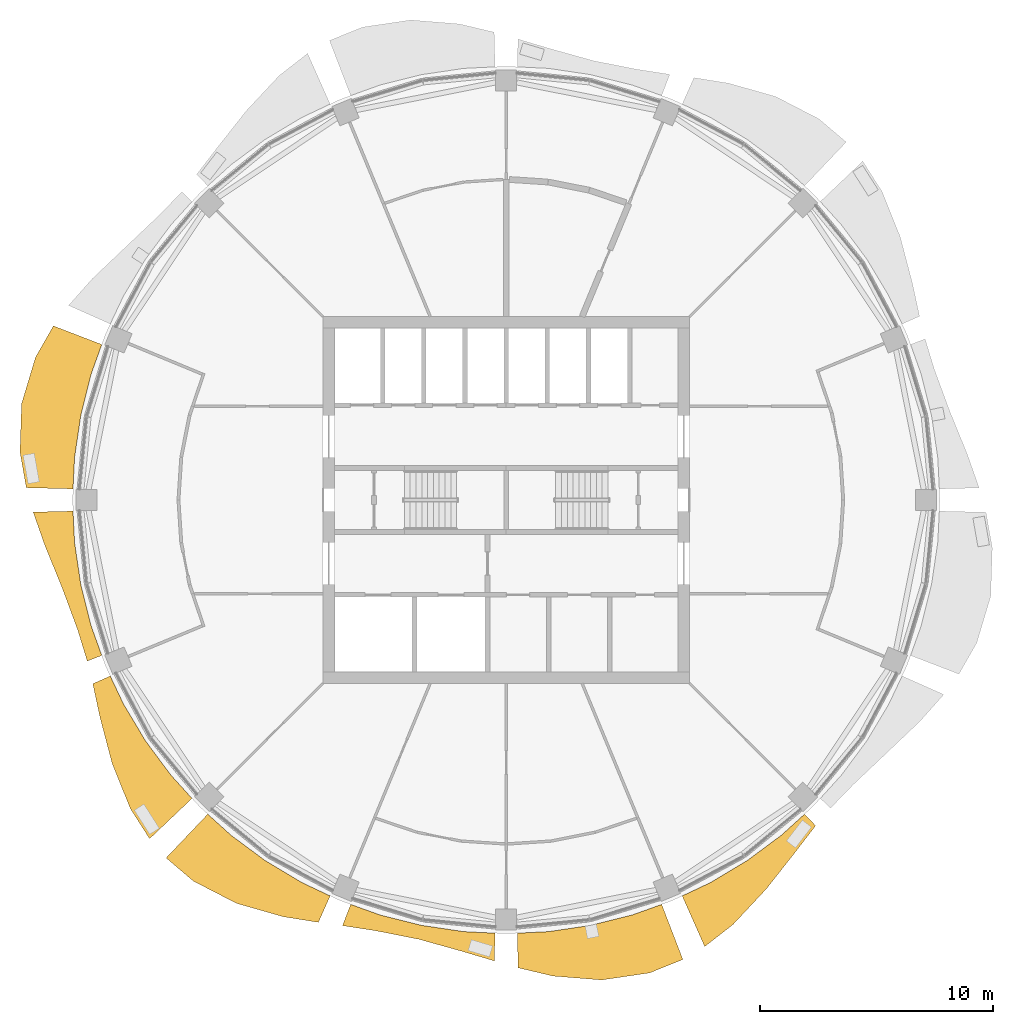
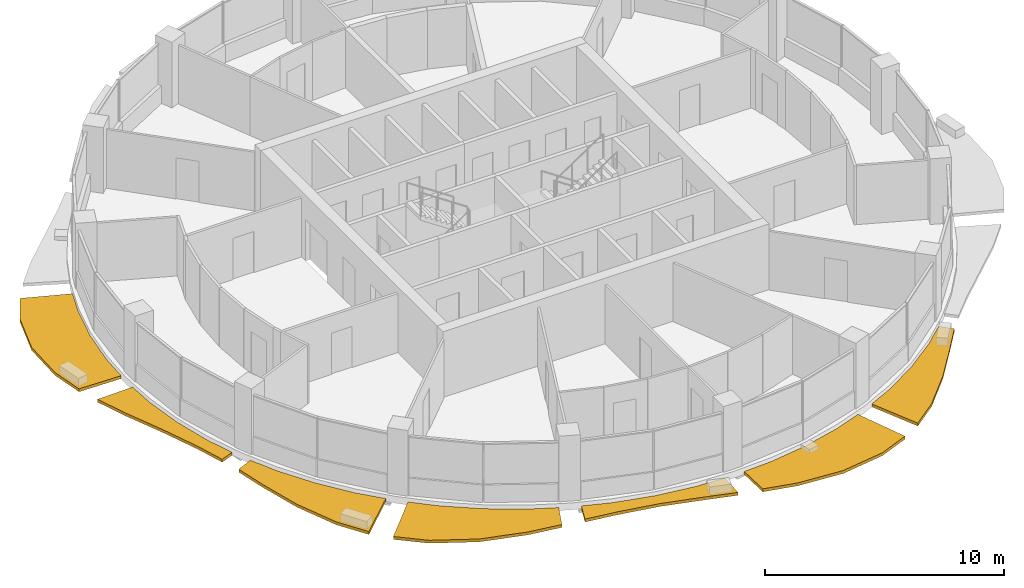
# One storey, part 12 of 15: 7 shading devices.
"""IFC4 building model written with IfcOpenShell, lengths in metres."""

from ifc_helpers import new_model, si_unit, direction, frame, origin, place, context, subcontext, project, spatial, polyline, outline, extrude, material, type_object, element, save


model = new_model("IFC4")

# Units and contexts
model_context = context("Model", 3, precision=1e-05, world=origin(), true_north=direction((0.0, 1.0)))
body_context = subcontext(model_context, "Body", "Model", "MODEL_VIEW")
ifc_project = project(units=[si_unit("LENGTHUNIT", "METRE"), si_unit("AREAUNIT", "SQUARE_METRE"), si_unit("VOLUMEUNIT", "CUBIC_METRE"), si_unit("PLANEANGLEUNIT", "RADIAN"), si_unit("MASSUNIT", "GRAM", prefix="KILO")], contexts=[model_context])

# Site, building, storey
site_placement = place(None, origin())
site = spatial("IfcSite", under=ifc_project, at=site_placement, CompositionType="ELEMENT")
building_placement = place(site_placement, origin())
building = spatial("IfcBuilding", under=site, at=building_placement, Name="Polderwave Tower", CompositionType="ELEMENT")
storey_placement = place(building_placement, frame((0.0, 0.0, 177.60009765625)))
storey = spatial("IfcBuildingStorey", under=building, at=storey_placement, Name="L47", CompositionType="ELEMENT", Elevation=177.60009765625)

# Shading devices
ifc_material = material(Name="Terracotta", Category="masonry")
shading_device_type = type_object("IfcShadingDeviceType", Name="Terracotta sunshade band", PredefinedType="USERDEFINED", material=ifc_material)
shading_device_1_placement = place(storey_placement, frame((0.0, 0.0, -0.35009765625)))
element("IfcShadingDevice", 1, at=shading_device_1_placement, inside=storey, type_object=shading_device_type, Name="Sunshade band L47 8", ObjectType="SUNSHADE", PredefinedType="USERDEFINED", context=body_context, shape_type="SweptSolid", body=[
    extrude(outline(polyline([(-17.36328125, 6.676513671875), (-17.818115234375, 5.405029296875), (-18.26220703125, 3.632568359375), (-18.5302734375, 1.8251953125), (-18.5966796875, 0.476318359375), (-20.602294921875, 0.527587890625), (-20.872802734375, 2.055908203125), (-20.80419921875, 4.13818359375), (-20.206298828125, 6.12939453125), (-19.439453125, 7.474853515625), (-17.36328125, 6.676513671875)])), origin(), (0.0, 0.0, 1.0), 0.14990234375),
])
shading_device_2_placement = place(storey_placement, frame((0.0, 0.0, -0.35009765625)))
element("IfcShadingDevice", 2, at=shading_device_2_placement, inside=storey, type_object=shading_device_type, Name="Sunshade band L47 9", ObjectType="SUNSHADE", PredefinedType="USERDEFINED", context=body_context, shape_type="SweptSolid", body=[
    extrude(outline(polyline([(-18.5966796875, -0.476318359375), (-18.5302734375, -1.8251953125), (-18.26220703125, -3.632568359375), (-17.818115234375, -5.405029296875), (-17.36328125, -6.676513671875), (-17.985595703125, -6.915771484375), (-18.39453125, -5.580078125), (-19.05517578125, -3.790283203125), (-19.805419921875, -1.95068359375), (-20.306884765625, -0.52001953125), (-18.5966796875, -0.476318359375)])), origin(), (0.0, 0.0, 1.0), 0.14990234375),
])
shading_device_3_placement = place(storey_placement, frame((0.0, 0.0, -0.35009765625)))
element("IfcShadingDevice", 3, at=shading_device_3_placement, inside=storey, type_object=shading_device_type, Name="Sunshade band L47 10", ObjectType="SUNSHADE", PredefinedType="USERDEFINED", context=body_context, shape_type="SweptSolid", body=[
    extrude(outline(polyline([(-16.998779296875, -7.556640625), (-16.42138671875, -8.77734375), (-15.48193359375, -10.3447265625), (-14.3935546875, -11.8125), (-13.486572265625, -12.81298828125), (-15.30908203125, -14.54443359375), (-16.13818359375, -13.244384765625), (-16.91845703125, -11.304443359375), (-17.440185546875, -9.322021484375), (-17.7470703125, -7.889404296875), (-16.998779296875, -7.556640625)])), origin(), (0.0, 0.0, 1.0), 0.14990234375),
])
shading_device_4_placement = place(storey_placement, frame((0.0, 0.0, -0.35009765625)))
element("IfcShadingDevice", 4, at=shading_device_4_placement, inside=storey, type_object=shading_device_type, Name="Sunshade band L47 11", ObjectType="SUNSHADE", PredefinedType="USERDEFINED", context=body_context, shape_type="SweptSolid", body=[
    extrude(outline(polyline([(-12.81298828125, -13.486572265625), (-11.8125, -14.3935546875), (-10.3447265625, -15.48193359375), (-8.77734375, -16.42138671875), (-7.556640625, -16.998779296875), (-8.060791015625, -18.1328125), (-9.56396484375, -17.892578125), (-11.572998046875, -17.3203125), (-13.4287109375, -16.363037109375), (-14.599609375, -15.366943359375), (-12.81298828125, -13.486572265625)])), origin(), (0.0, 0.0, 1.0), 0.14990234375),
])
shading_device_5_placement = place(storey_placement, frame((0.0, 0.0, -0.35009765625)))
element("IfcShadingDevice", 5, at=shading_device_5_placement, inside=storey, type_object=shading_device_type, Name="Sunshade band L47 12", ObjectType="SUNSHADE", PredefinedType="USERDEFINED", context=body_context, shape_type="SweptSolid", body=[
    extrude(outline(polyline([(-6.676513671875, -17.36328125), (-5.405029296875, -17.818115234375), (-3.632568359375, -18.26220703125), (-1.8251953125, -18.5302734375), (-0.476318359375, -18.5966796875), (-0.5068359375, -19.789794921875), (-1.907958984375, -19.37255859375), (-3.751220703125, -18.858642578125), (-5.609619140625, -18.4921875), (-7.026611328125, -18.27392578125), (-6.676513671875, -17.36328125)])), origin(), (0.0, 0.0, 1.0), 0.14990234375),
])
shading_device_6_placement = place(storey_placement, frame((0.0, 0.0, -0.35009765625)))
element("IfcShadingDevice", 6, at=shading_device_6_placement, inside=storey, type_object=shading_device_type, Name="Sunshade band L47 13", ObjectType="SUNSHADE", PredefinedType="USERDEFINED", context=body_context, shape_type="SweptSolid", body=[
    extrude(outline(polyline([(0.476318359375, -18.5966796875), (1.8251953125, -18.5302734375), (3.632568359375, -18.26220703125), (5.405029296875, -17.818115234375), (6.676513671875, -17.36328125), (7.585693359375, -19.727783203125), (6.1591796875, -20.303955078125), (4.09912109375, -20.60791015625), (2.01318359375, -20.439697265625), (0.514404296875, -20.085205078125), (0.476318359375, -18.5966796875)])), origin(), (0.0, 0.0, 1.0), 0.14990234375),
])
shading_device_7_placement = place(storey_placement, frame((0.0, 0.0, -0.35009765625)))
element("IfcShadingDevice", 7, at=shading_device_7_placement, inside=storey, type_object=shading_device_type, Name="Sunshade band L47 14", ObjectType="SUNSHADE", PredefinedType="USERDEFINED", context=body_context, shape_type="SweptSolid", body=[
    extrude(outline(polyline([(7.556640625, -16.998779296875), (8.77734375, -16.42138671875), (10.3447265625, -15.48193359375), (11.8125, -14.3935546875), (12.81298828125, -13.486572265625), (13.28564453125, -13.984130859375), (12.41064453125, -15.122314453125), (11.16259765625, -16.706298828125), (9.741455078125, -18.224853515625), (8.52392578125, -19.174560546875), (7.556640625, -16.998779296875)])), origin(), (0.0, 0.0, 1.0), 0.14990234375),
])

save(model, "model.ifc")
